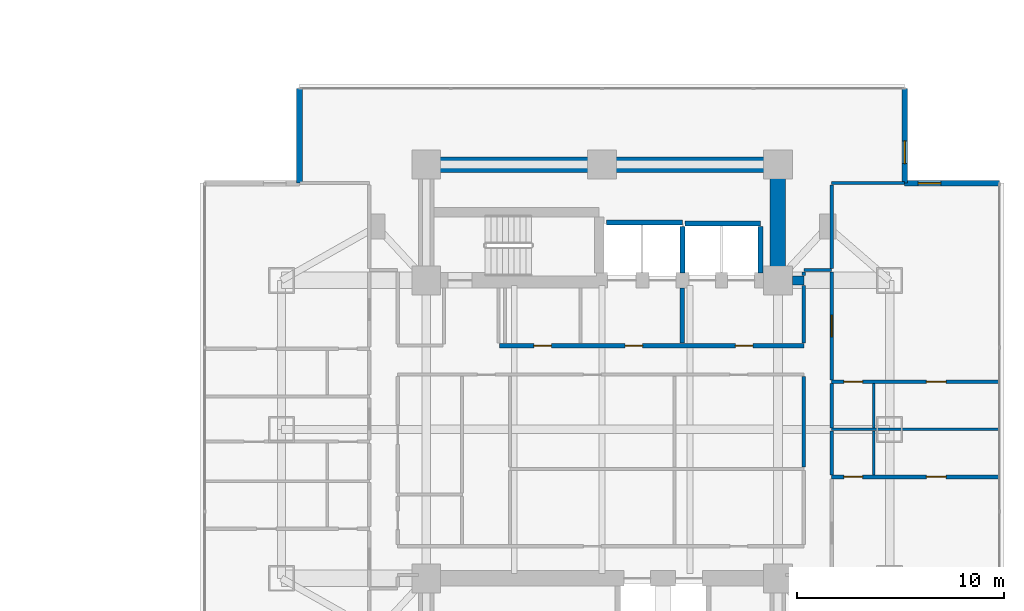
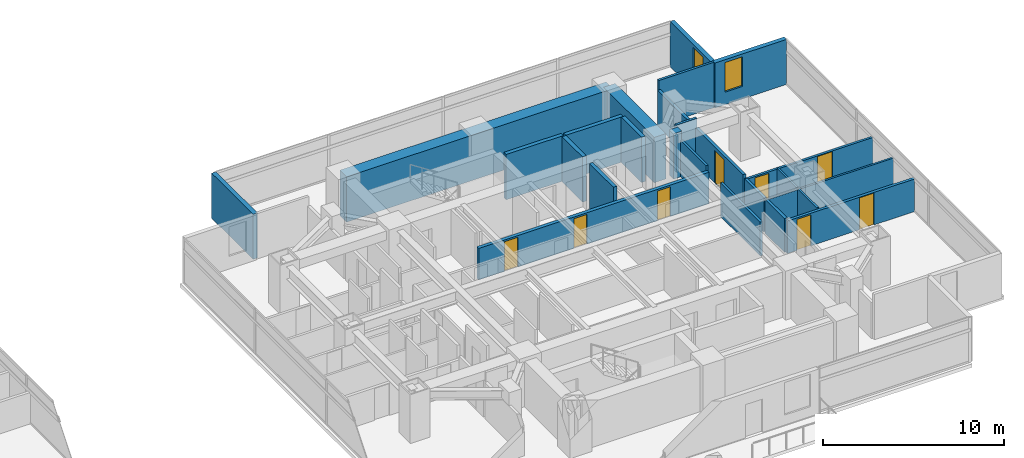
# One storey, part 20 of 27: 26 walls, 8 doors, 2 windows, 10 openings.
"""IFC4 building model written with IfcOpenShell, lengths in metres."""

from ifc_helpers import new_model, si_unit, direction, frame, frame_2d, origin, place, context, subcontext, project, spatial, rectangle, extrude, material, layer, layer_set, type_object, element, fill, save


model = new_model("IFC4")

# Units and contexts
model_context = context("Model", 3, precision=1e-05, world=origin(), true_north=direction((0.0, 1.0)))
body_context = subcontext(model_context, "Body", "Model", "MODEL_VIEW")
ifc_project = project(units=[si_unit("LENGTHUNIT", "METRE"), si_unit("AREAUNIT", "SQUARE_METRE"), si_unit("VOLUMEUNIT", "CUBIC_METRE"), si_unit("PLANEANGLEUNIT", "RADIAN"), si_unit("MASSUNIT", "GRAM", prefix="KILO")], contexts=[model_context])

# Site, building, storey
site_placement = place(None, origin())
site = spatial("IfcSite", under=ifc_project, at=site_placement, CompositionType="ELEMENT")
building_placement = place(site_placement, origin())
building = spatial("IfcBuilding", under=site, at=building_placement, Name="Mirazonda Arch Towers", CompositionType="ELEMENT")
storey_placement = place(building_placement, frame((0.0, 0.0, 42.199951171875)))
storey = spatial("IfcBuildingStorey", under=building, at=storey_placement, Name="L11", CompositionType="ELEMENT", Elevation=42.199951171875)

# Walls
ifc_material_1 = material(Name="Concrete C50/60", Category="concrete")
ifc_layer_1 = layer(ifc_material_1, 0.449951171875, Name="WALL-CORE-450")
ifc_layer_set_1 = layer_set([ifc_layer_1], Name="Concrete C50/60")
wall_type_1 = type_object("IfcWallType", Name="WALL-CORE-450", PredefinedType="SHEAR", material=ifc_layer_set_1)
wall_1_placement = place(storey_placement, frame((85.715087890625, 35.199951171875, 0.0), z_axis=(0.0, 0.0, 1.0), x_axis=(1.0, 0.0, 0.0)))
element("IfcWall", 1, at=wall_1_placement, inside=storey, type_object=wall_type_1, Name="L11 Stair Core Shear Wall 050", PredefinedType="SHEAR", context=body_context, shape_type="SweptSolid", body=[
    extrude(rectangle(XDim=0.534912109375, YDim=0.449951171875, at=frame_2d((0.267578125, 0.0))), origin(), (0.0, 0.0, 1.0), 3.06005859375),
])
ifc_material_2 = material(Name="Concrete C60/75", Category="concrete")
ifc_layer_2 = layer(ifc_material_2, 0.75, Name="WALL-CORE-750")
ifc_layer_set_2 = layer_set([ifc_layer_2], Name="Concrete C60/75")
wall_type_2 = type_object("IfcWallType", Name="WALL-CORE-750", PredefinedType="SHEAR", material=ifc_layer_set_2)
wall_2_placement = place(storey_placement, frame((68.0, 40.800048828125, 0.0), z_axis=(0.0, 0.0, 1.0), x_axis=(1.0, 0.0, 0.0)))
element("IfcWall", 2, at=wall_2_placement, inside=storey, type_object=wall_type_2, Name="L11 T2N-N Core Shear Wall", PredefinedType="SHEAR", context=body_context, shape_type="SweptSolid", body=[
    extrude(rectangle(XDim=17.0, YDim=0.75, at=frame_2d((8.5, 0.0))), origin(), (0.0, 0.0, 1.0), 3.06005859375),
])
wall_3_placement = place(storey_placement, frame((85.0, 35.199951171875, 0.0), z_axis=(0.0, 0.0, 1.0), x_axis=(0.0, 1.0, 0.0)))
element("IfcWall", 3, at=wall_3_placement, inside=storey, type_object=wall_type_2, Name="L11 T2N-E Core Shear Wall", PredefinedType="SHEAR", context=body_context, shape_type="SweptSolid", body=[
    extrude(rectangle(XDim=5.60009765625, YDim=0.75, at=frame_2d((2.800048828125, 0.0))), origin(), (0.0, 0.0, 1.0), 3.06005859375),
])

# Wall, opening, window
ifc_material_3 = material(Name="Precast Concrete C40/50", Category="concrete")
ifc_layer_3 = layer(ifc_material_3, 0.280029296875, Name="WALL-EXT-WALL-280")
ifc_layer_set_3 = layer_set([ifc_layer_3], Name="Precast Concrete C40/50")
wall_type_3 = type_object("IfcWallType", Name="WALL-EXT-WALL-280", PredefinedType="SOLIDWALL", material=ifc_layer_set_3)
wall_4_placement = place(storey_placement, frame((91.1279296875, 39.89990234375, 0.0), z_axis=(0.0, 0.0, 1.0), x_axis=(0.0, 1.0, 0.0)))
wall_4 = element("IfcWall", 4, at=wall_4_placement, inside=storey, type_object=wall_type_3, Name="L11 T2 Notched NE Corner Wall WL-L11-T2-CNE", PredefinedType="SOLIDWALL", context=body_context, shape_type="SweptSolid", body=[
    extrude(rectangle(XDim=4.579833984375, YDim=0.280029296875, at=frame_2d((2.2900390625, 0.0))), origin(), (0.0, 0.0, 1.0), 3.0400390625),
])
opening_1_placement = place(wall_4_placement, frame((0.949951171875, 0.0, 0.85009765625)))
opening_1 = element("IfcOpeningElement", 5, at=opening_1_placement, cuts=wall_4, Name="Opening WN-108", PredefinedType="OPENING", context=body_context, shape_type="SweptSolid", body=[
    extrude(rectangle(XDim=1.10009765625, YDim=2.0, at=frame_2d((0.550048828125, 1.0))), frame((0.0, 0.14990234375, 0.0), z_axis=(0.0, -1.0, 0.0), x_axis=(1.0, 0.0, 0.0)), (0.0, 0.0, 1.0), 0.300048828125),
])
ifc_material_4 = material(Name="Insulated Low-E Solar Glass", Category="glass")
window_type = type_object("IfcWindowType", Name="WIN-NOTCH-1100x2000", PartitioningType="SINGLE_PANEL", PredefinedType="WINDOW", material=ifc_material_4)
window_1_placement = place(opening_1_placement, origin())
window_1 = element("IfcWindow", 6, at=window_1_placement, inside=storey, type_object=window_type, Name="L11 Punched Facade Window WN-L11-T2-CNE", OverallHeight=2.0, OverallWidth=1.10009765625, PartitioningType="SINGLE_PANEL", PredefinedType="WINDOW", context=body_context, shape_type="SweptSolid", body=[
    extrude(rectangle(XDim=1.10009765625, YDim=2.0, at=frame_2d((0.550048828125, 1.0))), frame((0.0, 0.030029296875, 0.0), z_axis=(0.0, -1.0, 0.0), x_axis=(1.0, 0.0, 0.0)), (0.0, 0.0, 1.0), 0.06005859375),
])
fill(opening_1, window_1)

# Wall
wall_5_placement = place(storey_placement, frame((61.8720703125, 44.479736328125, 0.0), z_axis=(0.0, 0.0, 1.0), x_axis=(0.0, -1.0, 0.0)))
element("IfcWall", 7, at=wall_5_placement, inside=storey, type_object=wall_type_3, Name="L11 T2 Corner Notch Return Wall WL-L11-T2-CNW2", PredefinedType="SOLIDWALL", context=body_context, shape_type="SweptSolid", body=[
    extrude(rectangle(XDim=4.579833984375, YDim=0.280029296875, at=frame_2d((2.2900390625, 0.0))), origin(), (0.0, 0.0, 1.0), 3.0400390625),
])

# Wall, opening, window
wall_6_placement = place(storey_placement, frame((95.7080078125, 39.89990234375, 0.0), z_axis=(0.0, 0.0, 1.0), x_axis=(-1.0, 0.0, 0.0)))
wall_6 = element("IfcWall", 8, at=wall_6_placement, inside=storey, type_object=wall_type_3, Name="L11 T2 Corner Notch Return Wall WL-L11-T2-CNE2", PredefinedType="SOLIDWALL", context=body_context, shape_type="SweptSolid", body=[
    extrude(rectangle(XDim=4.580078125, YDim=0.280029296875, at=frame_2d((2.2900390625, 0.0))), origin(), (0.0, 0.0, 1.0), 3.0400390625),
])
opening_2_placement = place(wall_6_placement, frame((2.830078125, 0.0, 0.85009765625)))
opening_2 = element("IfcOpeningElement", 9, at=opening_2_placement, cuts=wall_6, Name="Opening WN-108", PredefinedType="OPENING", context=body_context, shape_type="SweptSolid", body=[
    extrude(rectangle(XDim=1.10009765625, YDim=2.0, at=frame_2d((0.550048828125, 1.0))), frame((0.0, 0.14990234375, 0.0), z_axis=(0.0, -1.0, 0.0), x_axis=(1.0, 0.0, 0.0)), (0.0, 0.0, 1.0), 0.300048828125),
])
window_2_placement = place(opening_2_placement, origin())
window_2 = element("IfcWindow", 10, at=window_2_placement, inside=storey, type_object=window_type, Name="L11 Punched Facade Window WN-L11-T2-CNE2", OverallHeight=2.0, OverallWidth=1.10009765625, PartitioningType="SINGLE_PANEL", PredefinedType="WINDOW", context=body_context, shape_type="SweptSolid", body=[
    extrude(rectangle(XDim=1.10009765625, YDim=2.0, at=frame_2d((0.550048828125, 1.0))), frame((0.0, 0.030029296875, 0.0), z_axis=(0.0, -1.0, 0.0), x_axis=(1.0, 0.0, 0.0)), (0.0, 0.0, 1.0), 0.06005859375),
])
fill(opening_2, window_2)

# Wall, openings, doors
ifc_material_5 = material(Name="Concrete C40/50", Category="concrete")
ifc_layer_4 = layer(ifc_material_5, 0.219970703125, Name="WALL-FFL-220")
ifc_layer_set_4 = layer_set([ifc_layer_4], Name="Concrete C40/50")
wall_type_4 = type_object("IfcWallType", Name="WALL-FFL-220", PredefinedType="SOLIDWALL", material=ifc_layer_set_4)
wall_7_placement = place(storey_placement, frame((71.550048828125, 32.050048828125, 0.0), z_axis=(0.0, 0.0, 1.0), x_axis=(1.0, 0.0, 0.0)))
wall_7 = element("IfcWall", 11, at=wall_7_placement, inside=storey, type_object=wall_type_4, Name="L11 Interior Partition 043", PredefinedType="SOLIDWALL", context=body_context, shape_type="SweptSolid", body=[
    extrude(rectangle(XDim=14.699951171875, YDim=0.219970703125, at=frame_2d((7.35009765625, 0.0))), origin(), (0.0, 0.0, 1.0), 2.125),
])
opening_3_placement = place(wall_7_placement, frame((11.389892578125, 0.0, 0.0)))
opening_3 = element("IfcOpeningElement", 12, at=opening_3_placement, cuts=wall_7, Name="Opening DR-128", PredefinedType="OPENING", context=body_context, shape_type="SweptSolid", body=[
    extrude(rectangle(XDim=0.85009765625, YDim=2.010009765625, at=frame_2d((0.425048828125, 1.0048828125))), frame((0.0, 0.119873046875, 0.0), z_axis=(0.0, -1.0, 0.0), x_axis=(1.0, 0.0, 0.0)), (0.0, 0.0, 1.0), 0.239990234375),
])
opening_4_placement = place(wall_7_placement, frame((6.06494140625, 0.0, 0.0)))
opening_4 = element("IfcOpeningElement", 13, at=opening_4_placement, cuts=wall_7, Name="Opening DR-128", PredefinedType="OPENING", context=body_context, shape_type="SweptSolid", body=[
    extrude(rectangle(XDim=0.85009765625, YDim=2.010009765625, at=frame_2d((0.425048828125, 1.0048828125))), frame((0.0, 0.119873046875, 0.0), z_axis=(0.0, -1.0, 0.0), x_axis=(1.0, 0.0, 0.0)), (0.0, 0.0, 1.0), 0.239990234375),
])
opening_5_placement = place(wall_7_placement, frame((1.64990234375, 0.0, 0.0)))
opening_5 = element("IfcOpeningElement", 14, at=opening_5_placement, cuts=wall_7, Name="Opening DR-128", PredefinedType="OPENING", context=body_context, shape_type="SweptSolid", body=[
    extrude(rectangle(XDim=0.85009765625, YDim=2.010009765625, at=frame_2d((0.425048828125, 1.0048828125))), frame((0.0, 0.119873046875, 0.0), z_axis=(0.0, -1.0, 0.0), x_axis=(1.0, 0.0, 0.0)), (0.0, 0.0, 1.0), 0.239990234375),
])
ifc_material_6 = material(Name="Architectural Brushed Steel S355", Category="steel")
door_type_1 = type_object("IfcDoorType", Name="DOOR-RISER-FD60-850", OperationType="NOTDEFINED", PredefinedType="DOOR", material=ifc_material_6)
door_1_placement = place(opening_3_placement, origin())
door_1 = element("IfcDoor", 15, at=door_1_placement, inside=storey, type_object=door_type_1, Name="L11 East Passenger Lift Lobby Door", OperationType="SINGLE_SWING_LEFT", OverallHeight=2.010009765625, OverallWidth=0.85009765625, PredefinedType="DOOR", context=body_context, shape_type="SweptSolid", body=[
    extrude(rectangle(XDim=0.85009765625, YDim=2.010009765625, at=frame_2d((0.425048828125, 1.0048828125))), frame((0.0, 0.02490234375, 0.0), z_axis=(0.0, -1.0, 0.0), x_axis=(1.0, 0.0, 0.0)), (0.0, 0.0, 1.0), 0.050048828125),
])
fill(opening_3, door_1)
door_2_placement = place(opening_4_placement, origin())
door_2 = element("IfcDoor", 16, at=door_2_placement, inside=storey, type_object=door_type_1, Name="L11 East Firefighting Lift Lobby Door", OperationType="SINGLE_SWING_LEFT", OverallHeight=2.010009765625, OverallWidth=0.85009765625, PredefinedType="DOOR", context=body_context, shape_type="SweptSolid", body=[
    extrude(rectangle(XDim=0.85009765625, YDim=2.010009765625, at=frame_2d((0.425048828125, 1.0048828125))), frame((0.0, 0.02490234375, 0.0), z_axis=(0.0, -1.0, 0.0), x_axis=(1.0, 0.0, 0.0)), (0.0, 0.0, 1.0), 0.050048828125),
])
fill(opening_4, door_2)
door_3_placement = place(opening_5_placement, origin())
door_3 = element("IfcDoor", 17, at=door_3_placement, inside=storey, type_object=door_type_1, Name="L11 Tower 2 Housekeeping & Linen Room Door", OperationType="SINGLE_SWING_RIGHT", OverallHeight=2.010009765625, OverallWidth=0.85009765625, PredefinedType="DOOR", context=body_context, shape_type="SweptSolid", body=[
    extrude(rectangle(XDim=0.85009765625, YDim=2.010009765625, at=frame_2d((0.425048828125, 1.0048828125))), frame((0.0, 0.02490234375, 0.0), z_axis=(0.0, -1.0, 0.0), x_axis=(1.0, 0.0, 0.0)), (0.0, 0.0, 1.0), 0.050048828125),
])
fill(opening_5, door_3)

# Wall
wall_8_placement = place(storey_placement, frame((80.3798828125, 32.169921875, 0.0), z_axis=(0.0, 0.0, 1.0), x_axis=(0.0, 1.0, 0.0)))
element("IfcWall", 18, at=wall_8_placement, inside=storey, type_object=wall_type_4, Name="L11 Interior Partition 153", PredefinedType="SOLIDWALL", context=body_context, shape_type="SweptSolid", body=[
    extrude(rectangle(XDim=2.66015625, YDim=0.219970703125, at=frame_2d((1.330078125, 0.0))), origin(), (0.0, 0.0, 1.0), 3.06005859375),
])

# Wall, openings, doors
ifc_material_7 = material(Name="Fire-Rated Gypsum Stud Partition")
ifc_layer_5 = layer(ifc_material_7, 0.14990234375, Name="WALL-PART-CORR-150")
ifc_layer_set_5 = layer_set([ifc_layer_5], Name="Fire-Rated Gypsum Stud Partition")
wall_type_5 = type_object("IfcWallType", Name="WALL-PART-CORR-150", PredefinedType="PARTITIONING", material=ifc_layer_set_5)
wall_9_placement = place(storey_placement, frame((87.60009765625, 30.300048828125, 0.0), z_axis=(0.0, 0.0, 1.0), x_axis=(1.0, 0.0, 0.0)))
wall_9 = element("IfcWall", 19, at=wall_9_placement, inside=storey, type_object=wall_type_5, Name="L11 Interior Partition 038", PredefinedType="PARTITIONING", context=body_context, shape_type="SweptSolid", body=[
    extrude(rectangle(XDim=8.10791015625, YDim=0.14990234375, at=frame_2d((4.053955078125, 0.0))), origin(), (0.0, 0.0, 1.0), 2.196044921875),
])
opening_6_placement = place(wall_9_placement, frame((4.5791015625, 0.0, 0.0)))
opening_6 = element("IfcOpeningElement", 20, at=opening_6_placement, cuts=wall_9, Name="Opening DR-104", PredefinedType="OPENING", context=body_context, shape_type="SweptSolid", body=[
    extrude(rectangle(XDim=0.949951171875, YDim=2.14990234375, at=frame_2d((0.47509765625, 1.074951171875))), frame((0.0, 0.0849609375, 0.0), z_axis=(0.0, -1.0, 0.0), x_axis=(1.0, 0.0, 0.0)), (0.0, 0.0, 1.0), 0.169921875),
])
opening_7_placement = place(wall_9_placement, frame((0.590087890625, 0.0, 0.0)))
opening_7 = element("IfcOpeningElement", 21, at=opening_7_placement, cuts=wall_9, Name="Opening DR-120", PredefinedType="OPENING", context=body_context, shape_type="SweptSolid", body=[
    extrude(rectangle(XDim=0.89990234375, YDim=2.10009765625, at=frame_2d((0.449951171875, 1.050048828125))), frame((0.0, 0.0849609375, 0.0), z_axis=(0.0, -1.0, 0.0), x_axis=(1.0, 0.0, 0.0)), (0.0, 0.0, 1.0), 0.169921875),
])
door_type_2 = type_object("IfcDoorType", Name="DOOR-ROOM-950", OperationType="NOTDEFINED", PredefinedType="DOOR", material=ifc_material_6)
door_4_placement = place(opening_6_placement, origin())
door_4 = element("IfcDoor", 22, at=door_4_placement, inside=storey, type_object=door_type_2, Name="L11 Suite Bedroom 2 Door", OperationType="SINGLE_SWING_RIGHT", OverallHeight=2.14990234375, OverallWidth=0.949951171875, PredefinedType="DOOR", context=body_context, shape_type="SweptSolid", body=[
    extrude(rectangle(XDim=0.949951171875, YDim=2.14990234375, at=frame_2d((0.47509765625, 1.074951171875))), frame((0.0, 0.02490234375, 0.0), z_axis=(0.0, -1.0, 0.0), x_axis=(1.0, 0.0, 0.0)), (0.0, 0.0, 1.0), 0.050048828125),
])
fill(opening_6, door_4)
door_type_3 = type_object("IfcDoorType", Name="DOOR-WC-900", OperationType="NOTDEFINED", PredefinedType="DOOR", material=ifc_material_6)
door_5_placement = place(opening_7_placement, origin())
door_5 = element("IfcDoor", 23, at=door_5_placement, inside=storey, type_object=door_type_3, Name="L11 Suite En-Suite Bathroom 2 Door", OperationType="SINGLE_SWING_LEFT", OverallHeight=2.10009765625, OverallWidth=0.89990234375, PredefinedType="DOOR", context=body_context, shape_type="SweptSolid", body=[
    extrude(rectangle(XDim=0.89990234375, YDim=2.10009765625, at=frame_2d((0.449951171875, 1.050048828125))), frame((0.0, 0.02490234375, 0.0), z_axis=(0.0, -1.0, 0.0), x_axis=(1.0, 0.0, 0.0)), (0.0, 0.0, 1.0), 0.050048828125),
])
fill(opening_7, door_5)

# Walls
wall_10_placement = place(storey_placement, frame((86.25, 35.699951171875, 0.0), z_axis=(0.0, 0.0, 1.0), x_axis=(1.0, 0.0, 0.0)))
element("IfcWall", 24, at=wall_10_placement, inside=storey, type_object=wall_type_5, Name="L11 Interior Partition 052", PredefinedType="PARTITIONING", context=body_context, shape_type="SweptSolid", body=[
    extrude(rectangle(XDim=1.35009765625, YDim=0.14990234375, at=frame_2d((0.675048828125, 0.0))), origin(), (0.0, 0.0, 1.0), 3.06005859375),
])
wall_11_placement = place(storey_placement, frame((87.60009765625, 39.89990234375, 0.0), z_axis=(0.0, 0.0, 1.0), x_axis=(1.0, 0.0, 0.0)))
element("IfcWall", 25, at=wall_11_placement, inside=storey, type_object=wall_type_5, Name="L11 Interior Partition 058", PredefinedType="PARTITIONING", context=body_context, shape_type="SweptSolid", body=[
    extrude(rectangle(XDim=3.5078125, YDim=0.14990234375, at=frame_2d((1.75390625, 0.0))), origin(), (0.0, 0.0, 1.0), 3.06005859375),
])
wall_12_placement = place(storey_placement, frame((86.25, 26.169921875, 0.0), z_axis=(0.0, 0.0, 1.0), x_axis=(0.0, 1.0, 0.0)))
element("IfcWall", 26, at=wall_12_placement, inside=storey, type_object=wall_type_5, Name="L11 Interior Partition 159", PredefinedType="PARTITIONING", context=body_context, shape_type="SweptSolid", body=[
    extrude(rectangle(XDim=4.39501953125, YDim=0.14990234375, at=frame_2d((2.197509765625, 0.0))), origin(), (0.0, 0.0, 1.0), 2.279052734375),
])
wall_13_placement = place(storey_placement, frame((86.25, 32.169921875, 0.0), z_axis=(0.0, 0.0, 1.0), x_axis=(0.0, 1.0, 0.0)))
element("IfcWall", 27, at=wall_13_placement, inside=storey, type_object=wall_type_5, Name="L11 Interior Partition 160", PredefinedType="PARTITIONING", context=body_context, shape_type="SweptSolid", body=[
    extrude(rectangle(XDim=2.795166015625, YDim=0.14990234375, at=frame_2d((1.3974609375, 0.0))), origin(), (0.0, 0.0, 1.0), 2.4521484375),
])
wall_14_placement = place(storey_placement, frame((86.25, 35.43505859375, 0.0), z_axis=(0.0, 0.0, 1.0), x_axis=(0.0, 1.0, 0.0)))
element("IfcWall", 28, at=wall_14_placement, inside=storey, type_object=wall_type_5, Name="L11 Interior Partition 161", PredefinedType="PARTITIONING", context=body_context, shape_type="SweptSolid", body=[
    extrude(rectangle(XDim=0.179931640625, YDim=0.14990234375, at=frame_2d((0.08984375, 0.0))), origin(), (0.0, 0.0, 1.0), 2.4521484375),
])

# Wall, openings, doors
ifc_material_8 = material(Name="Fire-Rated Gypsum Twin-Stud Assembly")
ifc_layer_6 = layer(ifc_material_8, 0.179931640625, Name="WALL-PART-DEMISE-180")
ifc_layer_set_6 = layer_set([ifc_layer_6], Name="Fire-Rated Gypsum Twin-Stud Assembly")
wall_type_6 = type_object("IfcWallType", Name="WALL-PART-DEMISE-180", PredefinedType="PARTITIONING", material=ifc_layer_set_6)
wall_15_placement = place(storey_placement, frame((87.60009765625, 25.699951171875, 0.0), z_axis=(0.0, 0.0, 1.0), x_axis=(1.0, 0.0, 0.0)))
wall_15 = element("IfcWall", 29, at=wall_15_placement, inside=storey, type_object=wall_type_6, Name="L11 Interior Partition 031", PredefinedType="PARTITIONING", context=body_context, shape_type="SweptSolid", body=[
    extrude(rectangle(XDim=8.10791015625, YDim=0.179931640625, at=frame_2d((4.053955078125, 0.0))), origin(), (0.0, 0.0, 1.0), 2.196044921875),
])
opening_8_placement = place(wall_15_placement, frame((4.5791015625, 0.0, 0.0)))
opening_8 = element("IfcOpeningElement", 30, at=opening_8_placement, cuts=wall_15, Name="Opening DR-104", PredefinedType="OPENING", context=body_context, shape_type="SweptSolid", body=[
    extrude(rectangle(XDim=0.949951171875, YDim=2.14990234375, at=frame_2d((0.47509765625, 1.074951171875))), frame((0.0, 0.099853515625, 0.0), z_axis=(0.0, -1.0, 0.0), x_axis=(1.0, 0.0, 0.0)), (0.0, 0.0, 1.0), 0.199951171875),
])
opening_9_placement = place(wall_15_placement, frame((0.590087890625, 0.0, 0.0)))
opening_9 = element("IfcOpeningElement", 31, at=opening_9_placement, cuts=wall_15, Name="Opening DR-120", PredefinedType="OPENING", context=body_context, shape_type="SweptSolid", body=[
    extrude(rectangle(XDim=0.89990234375, YDim=2.10009765625, at=frame_2d((0.449951171875, 1.050048828125))), frame((0.0, 0.099853515625, 0.0), z_axis=(0.0, -1.0, 0.0), x_axis=(1.0, 0.0, 0.0)), (0.0, 0.0, 1.0), 0.199951171875),
])
door_6_placement = place(opening_8_placement, origin())
door_6 = element("IfcDoor", 32, at=door_6_placement, inside=storey, type_object=door_type_2, Name="L11 Suite Bedroom 1 Door", OperationType="SINGLE_SWING_LEFT", OverallHeight=2.14990234375, OverallWidth=0.949951171875, PredefinedType="DOOR", context=body_context, shape_type="SweptSolid", body=[
    extrude(rectangle(XDim=0.949951171875, YDim=2.14990234375, at=frame_2d((0.47509765625, 1.074951171875))), frame((0.0, 0.02490234375, 0.0), z_axis=(0.0, -1.0, 0.0), x_axis=(1.0, 0.0, 0.0)), (0.0, 0.0, 1.0), 0.050048828125),
])
fill(opening_8, door_6)
door_7_placement = place(opening_9_placement, origin())
door_7 = element("IfcDoor", 33, at=door_7_placement, inside=storey, type_object=door_type_3, Name="L11 Suite En-Suite Bathroom 1 Door", OperationType="SINGLE_SWING_RIGHT", OverallHeight=2.10009765625, OverallWidth=0.89990234375, PredefinedType="DOOR", context=body_context, shape_type="SweptSolid", body=[
    extrude(rectangle(XDim=0.89990234375, YDim=2.10009765625, at=frame_2d((0.449951171875, 1.050048828125))), frame((0.0, 0.02490234375, 0.0), z_axis=(0.0, -1.0, 0.0), x_axis=(1.0, 0.0, 0.0)), (0.0, 0.0, 1.0), 0.050048828125),
])
fill(opening_9, door_7)

# Walls
wall_16_placement = place(storey_placement, frame((87.60009765625, 25.800048828125, 0.0), z_axis=(0.0, 0.0, 1.0), x_axis=(0.0, 1.0, 0.0)))
element("IfcWall", 34, at=wall_16_placement, inside=storey, type_object=wall_type_6, Name="L11 Interior Partition 164", PredefinedType="PARTITIONING", context=body_context, shape_type="SweptSolid", body=[
    extrude(rectangle(XDim=2.12744140625, YDim=0.179931640625, at=frame_2d((1.063720703125, 0.0))), origin(), (0.0, 0.0, 1.0), 2.279052734375),
])
wall_17_placement = place(storey_placement, frame((87.60009765625, 28.072509765625, 0.0), z_axis=(0.0, 0.0, 1.0), x_axis=(0.0, 1.0, 0.0)))
element("IfcWall", 35, at=wall_17_placement, inside=storey, type_object=wall_type_6, Name="L11 Interior Partition 165", PredefinedType="PARTITIONING", context=body_context, shape_type="SweptSolid", body=[
    extrude(rectangle(XDim=2.142578125, YDim=0.179931640625, at=frame_2d((1.0712890625, 0.0))), origin(), (0.0, 0.0, 1.0), 2.279052734375),
])

# Wall, opening, door
wall_18_placement = place(storey_placement, frame((87.60009765625, 30.385009765625, 0.0), z_axis=(0.0, 0.0, 1.0), x_axis=(0.0, 1.0, 0.0)))
wall_18 = element("IfcWall", 36, at=wall_18_placement, inside=storey, type_object=wall_type_6, Name="L11 Interior Partition 166", PredefinedType="PARTITIONING", context=body_context, shape_type="SweptSolid", body=[
    extrude(rectangle(XDim=5.22998046875, YDim=0.179931640625, at=frame_2d((2.614990234375, 0.0))), origin(), (0.0, 0.0, 1.0), 2.4521484375),
])
opening_10_placement = place(wall_18_placement, frame((2.090087890625, 0.0, 0.0)))
opening_10 = element("IfcOpeningElement", 37, at=opening_10_placement, cuts=wall_18, Name="Opening DR-121", PredefinedType="OPENING", context=body_context, shape_type="SweptSolid", body=[
    extrude(rectangle(XDim=1.050048828125, YDim=2.199951171875, at=frame_2d((0.52490234375, 1.10009765625))), frame((0.0, 0.099853515625, 0.0), z_axis=(0.0, -1.0, 0.0), x_axis=(1.0, 0.0, 0.0)), (0.0, 0.0, 1.0), 0.199951171875),
])
door_type_4 = type_object("IfcDoorType", Name="DOOR-SUITE-FD60-1050", OperationType="NOTDEFINED", PredefinedType="DOOR", material=ifc_material_6)
door_8_placement = place(opening_10_placement, origin())
door_8 = element("IfcDoor", 38, at=door_8_placement, inside=storey, type_object=door_type_4, Name="L11 Presidential Hotel Suite 2 Door", OperationType="SINGLE_SWING_LEFT", OverallHeight=2.199951171875, OverallWidth=1.050048828125, PredefinedType="DOOR", context=body_context, shape_type="SweptSolid", body=[
    extrude(rectangle(XDim=1.050048828125, YDim=2.199951171875, at=frame_2d((0.52490234375, 1.10009765625))), frame((0.0, 0.02490234375, 0.0), z_axis=(0.0, -1.0, 0.0), x_axis=(1.0, 0.0, 0.0)), (0.0, 0.0, 1.0), 0.050048828125),
])
fill(opening_10, door_8)

# Walls
wall_19_placement = place(storey_placement, frame((87.60009765625, 35.784912109375, 0.0), z_axis=(0.0, 0.0, 1.0), x_axis=(0.0, 1.0, 0.0)))
element("IfcWall", 39, at=wall_19_placement, inside=storey, type_object=wall_type_6, Name="L11 Interior Partition 167", PredefinedType="PARTITIONING", context=body_context, shape_type="SweptSolid", body=[
    extrude(rectangle(XDim=4.030029296875, YDim=0.179931640625, at=frame_2d((2.01513671875, 0.0))), origin(), (0.0, 0.0, 1.0), 2.43603515625),
])
ifc_material_9 = material(Name="Acoustic Fire-Rated Gypsum Partition")
ifc_layer_7 = layer(ifc_material_9, 0.125, Name="WALL-PART-UNIT-125")
ifc_layer_set_7 = layer_set([ifc_layer_7], Name="Acoustic Fire-Rated Gypsum Partition")
wall_type_7 = type_object("IfcWallType", Name="WALL-PART-UNIT-125", PredefinedType="PARTITIONING", material=ifc_layer_set_7)
wall_20_placement = place(storey_placement, frame((87.60009765625, 28.0, 0.0), z_axis=(0.0, 0.0, 1.0), x_axis=(1.0, 0.0, 0.0)))
element("IfcWall", 40, at=wall_20_placement, inside=storey, type_object=wall_type_7, Name="L11 Interior Partition 036", PredefinedType="PARTITIONING", context=body_context, shape_type="SweptSolid", body=[
    extrude(rectangle(XDim=8.10791015625, YDim=0.125, at=frame_2d((4.053955078125, 0.0))), origin(), (0.0, 0.0, 1.0), 2.196044921875),
])
wall_21_placement = place(storey_placement, frame((89.639892578125, 25.800048828125, 0.0), z_axis=(0.0, 0.0, 1.0), x_axis=(0.0, 1.0, 0.0)))
element("IfcWall", 41, at=wall_21_placement, inside=storey, type_object=wall_type_7, Name="L11 Interior Partition 168", PredefinedType="PARTITIONING", context=body_context, shape_type="SweptSolid", body=[
    extrude(rectangle(XDim=2.12744140625, YDim=0.125, at=frame_2d((1.063720703125, 0.0))), origin(), (0.0, 0.0, 1.0), 2.279052734375),
])
wall_22_placement = place(storey_placement, frame((89.639892578125, 28.072509765625, 0.0), z_axis=(0.0, 0.0, 1.0), x_axis=(0.0, 1.0, 0.0)))
element("IfcWall", 42, at=wall_22_placement, inside=storey, type_object=wall_type_7, Name="L11 Interior Partition 169", PredefinedType="PARTITIONING", context=body_context, shape_type="SweptSolid", body=[
    extrude(rectangle(XDim=2.142578125, YDim=0.125, at=frame_2d((1.0712890625, 0.0))), origin(), (0.0, 0.0, 1.0), 2.279052734375),
])
ifc_layer_8 = layer(ifc_material_5, 0.25, Name="WALL-SHAFT-250")
ifc_layer_set_8 = layer_set([ifc_layer_8], Name="Concrete C40/50")
wall_type_8 = type_object("IfcWallType", Name="WALL-SHAFT-250", PredefinedType="SOLIDWALL", material=ifc_layer_set_8)
wall_23_placement = place(storey_placement, frame((80.5, 37.949951171875, 0.0), z_axis=(0.0, 0.0, 1.0), x_axis=(1.0, 0.0, 0.0)))
element("IfcWall", 43, at=wall_23_placement, inside=storey, type_object=wall_type_8, Name="L11 Interior Partition 054", PredefinedType="SOLIDWALL", context=body_context, shape_type="SweptSolid", body=[
    extrude(rectangle(XDim=3.64990234375, YDim=0.25, at=frame_2d((1.824951171875, 0.0))), origin(), (0.0, 0.0, 1.0), 3.06005859375),
])
wall_24_placement = place(storey_placement, frame((76.719970703125, 38.0, 0.0), z_axis=(0.0, 0.0, 1.0), x_axis=(1.0, 0.0, 0.0)))
element("IfcWall", 44, at=wall_24_placement, inside=storey, type_object=wall_type_8, Name="L11 Interior Partition 055", PredefinedType="SOLIDWALL", context=body_context, shape_type="SweptSolid", body=[
    extrude(rectangle(XDim=3.659912109375, YDim=0.25, at=frame_2d((1.830078125, 0.0))), origin(), (0.0, 0.0, 1.0), 3.06005859375),
])
for number, where, z_axis, x_axis, name in (
    (45, (80.3798828125, 35.570068359375, 0.0), (0.0, 0.0, 1.0), (0.0, 1.0, 0.0), "L11 Interior Partition 154"),
    (46, (84.14990234375, 35.570068359375, 0.0), (0.0, 0.0, 1.0), (0.0, 1.0, 0.0), "L11 Interior Partition 156"),
):
    element("IfcWall", number, at=place(storey_placement, frame(where, z_axis=z_axis, x_axis=x_axis)), inside=storey, type_object=wall_type_8, Name=name, PredefinedType="SOLIDWALL", context=body_context, shape_type="SweptSolid", body=[
        extrude(rectangle(XDim=2.244873046875, YDim=0.25, at=frame_2d((1.12255859375, 0.0))), origin(), (0.0, 0.0, 1.0), 3.06005859375),
    ])

save(model, "model.ifc")
